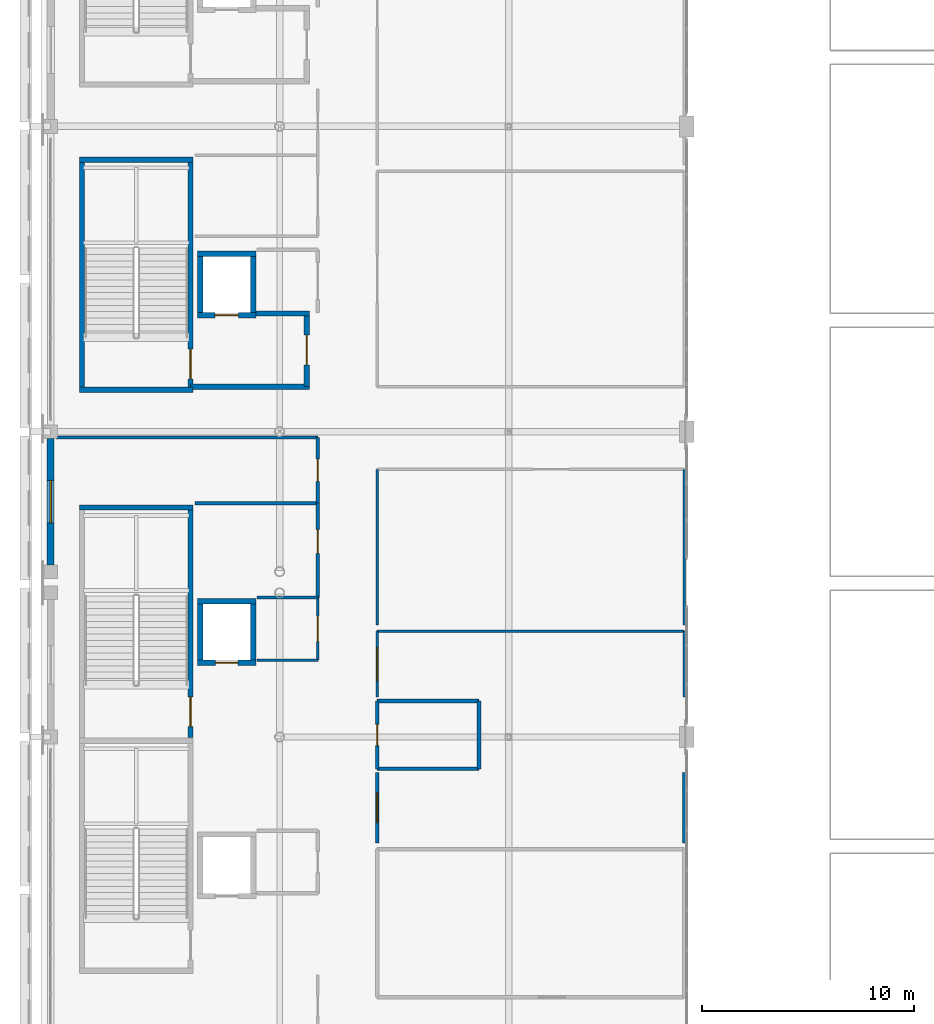
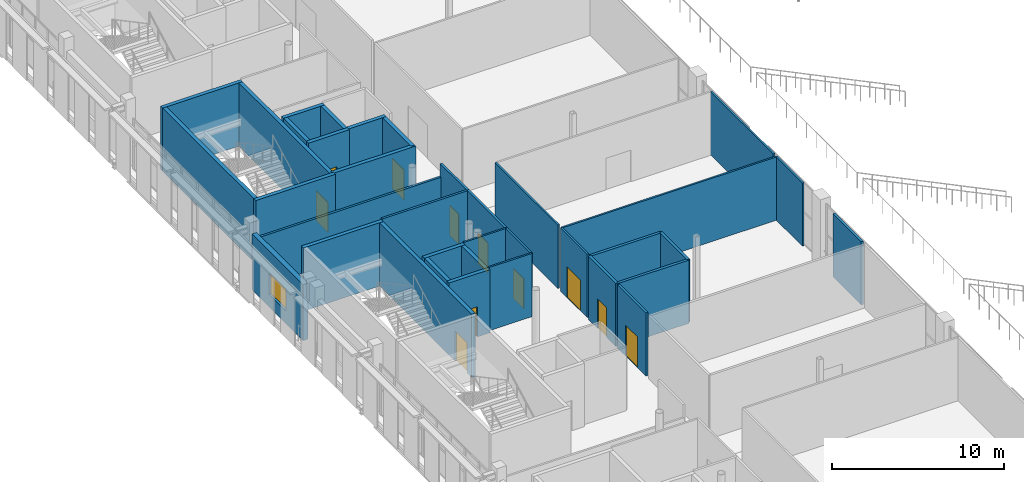
# One storey, part 66 of 104: 36 walls, 11 doors, 1 window, 12 openings.
"""IFC4 building model written with IfcOpenShell, lengths in metres."""

from ifc_helpers import new_model, si_unit, direction, frame, frame_2d, origin, place, context, subcontext, project, spatial, rectangle, extrude, material, layer, layer_set, type_object, element, fill, save


model = new_model("IFC4")

# Units and contexts
model_context = context("Model", 3, precision=1e-05, world=origin(), true_north=direction((0.0, 1.0)))
body_context = subcontext(model_context, "Body", "Model", "MODEL_VIEW")
ifc_project = project(units=[si_unit("LENGTHUNIT", "METRE"), si_unit("AREAUNIT", "SQUARE_METRE"), si_unit("VOLUMEUNIT", "CUBIC_METRE"), si_unit("PLANEANGLEUNIT", "RADIAN"), si_unit("MASSUNIT", "GRAM", prefix="KILO")], contexts=[model_context])

# Site, building, storey
site_placement = place(None, origin())
site = spatial("IfcSite", under=ifc_project, at=site_placement, CompositionType="ELEMENT")
building_placement = place(site_placement, origin())
building = spatial("IfcBuilding", under=site, at=building_placement, Name="Koshinbarg Plaza Stadium", CompositionType="ELEMENT")
storey_placement = place(building_placement, frame((0.0, 0.0, 19.800048828125)))
storey = spatial("IfcBuildingStorey", under=building, at=storey_placement, Name="L04", CompositionType="ELEMENT", Elevation=19.800048828125)

# Wall
ifc_material_1 = material(Name="Concrete C40/50", Category="concrete")
ifc_layer_1 = layer(ifc_material_1, 0.25)
ifc_layer_set_1 = layer_set([ifc_layer_1], Name="Concrete C40/50")
wall_type_1 = type_object("IfcWallType", Name="WL-CORE-250", PredefinedType="SHEAR", material=ifc_layer_set_1)
wall_1_placement = place(storey_placement, frame((31.320068359375, 79.52490234375, 0.0), z_axis=(0.0, 0.0, 1.0), x_axis=(-1.0, 0.0, 0.0)))
element("IfcWall", 1, at=wall_1_placement, inside=storey, type_object=wall_type_1, Name="L04 core stair shear wall C04-far IWL-L04-0097", PredefinedType="SHEAR", context=body_context, shape_type="SweptSolid", body=[
    extrude(rectangle(XDim=5.3701171875, YDim=0.25, at=frame_2d((2.68505859375, 0.0))), origin(), (0.0, 0.0, 1.0), 4.5),
])

# Wall, opening, door
wall_2_placement = place(storey_placement, frame((31.195068359375, 68.675048828125, 0.0), z_axis=(0.0, 0.0, 1.0), x_axis=(0.0, 1.0, 0.0)))
wall_2 = element("IfcWall", 2, at=wall_2_placement, inside=storey, type_object=wall_type_1, Name="L04 core stair shear wall C04-right IWL-L04-0099", PredefinedType="SHEAR", context=body_context, shape_type="SweptSolid", body=[
    extrude(rectangle(XDim=10.849853515625, YDim=0.25, at=frame_2d((5.4248046875, 0.0))), origin(), (0.0, 0.0, 1.0), 4.5),
])
opening_1_placement = place(wall_2_placement, frame((0.52001953125, 0.0, 0.0)))
opening_1 = element("IfcOpeningElement", 3, at=opening_1_placement, cuts=wall_2, Name="Opening D-0086", PredefinedType="OPENING", context=body_context, shape_type="SweptSolid", body=[
    extrude(rectangle(XDim=1.39990234375, YDim=2.14990234375, at=frame_2d((0.699951171875, 1.074951171875))), frame((0.0, 0.135009765625, 0.0), z_axis=(0.0, -1.0, 0.0), x_axis=(1.0, 0.0, 0.0)), (0.0, 0.0, 1.0), 0.27001953125),
])
ifc_material_2 = material(Name="Painted galvanized steel fire door", Category="steel")
door_type_1 = type_object("IfcDoorType", Name="DR-STAIR-1400", OperationType="NOTDEFINED", PredefinedType="DOOR", material=ifc_material_2)
door_1_placement = place(opening_1_placement, origin())
door_1 = element("IfcDoor", 4, at=door_1_placement, inside=storey, type_object=door_type_1, Name="L04 exit stair door C04", OperationType="SINGLE_SWING_LEFT", OverallHeight=2.14990234375, OverallWidth=1.39990234375, PredefinedType="DOOR", context=body_context, shape_type="SweptSolid", body=[
    extrude(rectangle(XDim=1.39990234375, YDim=2.14990234375, at=frame_2d((0.699951171875, 1.074951171875))), frame((0.0, 0.02490234375, 0.0), z_axis=(0.0, -1.0, 0.0), x_axis=(1.0, 0.0, 0.0)), (0.0, 0.0, 1.0), 0.050048828125),
])
fill(opening_1, door_1)

# Walls
for number, where, z_axis, x_axis, name in (
    (5, (25.949951171875, 85.074951171875, 0.0), (0.0, 0.0, 1.0), (1.0, 0.0, 0.0), "L04 core stair shear wall C05-near IWL-L04-0122"),
    (6, (31.320068359375, 95.925048828125, 0.0), (0.0, 0.0, 1.0), (-1.0, 0.0, 0.0), "L04 core stair shear wall C05-far IWL-L04-0123"),
):
    element("IfcWall", number, at=place(storey_placement, frame(where, z_axis=z_axis, x_axis=x_axis)), inside=storey, type_object=wall_type_1, Name=name, PredefinedType="SHEAR", context=body_context, shape_type="SweptSolid", body=[
        extrude(rectangle(XDim=5.3701171875, YDim=0.25, at=frame_2d((2.68505859375, 0.0))), origin(), (0.0, 0.0, 1.0), 4.5),
    ])
wall_3_placement = place(storey_placement, frame((26.074951171875, 85.074951171875, 0.0), z_axis=(0.0, 0.0, 1.0), x_axis=(0.0, 1.0, 0.0)))
element("IfcWall", 7, at=wall_3_placement, inside=storey, type_object=wall_type_1, Name="L04 core stair shear wall C05-left IWL-L04-0124", PredefinedType="SHEAR", context=body_context, shape_type="SweptSolid", body=[
    extrude(rectangle(XDim=10.85009765625, YDim=0.25, at=frame_2d((5.425048828125, 0.0))), origin(), (0.0, 0.0, 1.0), 4.5),
])

# Wall, opening, door
wall_4_placement = place(storey_placement, frame((31.195068359375, 85.074951171875, 0.0), z_axis=(0.0, 0.0, 1.0), x_axis=(0.0, 1.0, 0.0)))
wall_4 = element("IfcWall", 8, at=wall_4_placement, inside=storey, type_object=wall_type_1, Name="L04 core stair shear wall C05-right IWL-L04-0125", PredefinedType="SHEAR", context=body_context, shape_type="SweptSolid", body=[
    extrude(rectangle(XDim=10.85009765625, YDim=0.25, at=frame_2d((5.425048828125, 0.0))), origin(), (0.0, 0.0, 1.0), 4.5),
])
opening_2_placement = place(wall_4_placement, frame((0.52001953125, 0.0, 0.0)))
opening_2 = element("IfcOpeningElement", 9, at=opening_2_placement, cuts=wall_4, Name="Opening D-0093", PredefinedType="OPENING", context=body_context, shape_type="SweptSolid", body=[
    extrude(rectangle(XDim=1.39990234375, YDim=2.14990234375, at=frame_2d((0.699951171875, 1.074951171875))), frame((0.0, 0.135009765625, 0.0), z_axis=(0.0, -1.0, 0.0), x_axis=(1.0, 0.0, 0.0)), (0.0, 0.0, 1.0), 0.27001953125),
])
door_2_placement = place(opening_2_placement, origin())
door_2 = element("IfcDoor", 10, at=door_2_placement, inside=storey, type_object=door_type_1, Name="L04 exit stair door C05", OperationType="SINGLE_SWING_LEFT", OverallHeight=2.14990234375, OverallWidth=1.39990234375, PredefinedType="DOOR", context=body_context, shape_type="SweptSolid", body=[
    extrude(rectangle(XDim=1.39990234375, YDim=2.14990234375, at=frame_2d((0.699951171875, 1.074951171875))), frame((0.0, 0.02490234375, 0.0), z_axis=(0.0, -1.0, 0.0), x_axis=(1.0, 0.0, 0.0)), (0.0, 0.0, 1.0), 0.050048828125),
])
fill(opening_2, door_2)

wall_5_placement = place(storey_placement, frame((31.52490234375, 72.199951171875, 0.0), z_axis=(0.0, 0.0, 1.0), x_axis=(1.0, 0.0, 0.0)))
wall_5 = element("IfcWall", 11, at=wall_5_placement, inside=storey, type_object=wall_type_1, Name="L04 lift shaft shear wall LP02-S IWL-L04-0752", PredefinedType="SHEAR", context=body_context, shape_type="SweptSolid", body=[
    extrude(rectangle(XDim=2.75, YDim=0.25, at=frame_2d((1.375, 0.0))), origin(), (0.0, 0.0, 1.0), 4.5),
])
opening_3_placement = place(wall_5_placement, frame((0.85009765625, 0.0, 0.0)))
opening_3 = element("IfcOpeningElement", 12, at=opening_3_placement, cuts=wall_5, Name="Opening D-0254", PredefinedType="OPENING", context=body_context, shape_type="SweptSolid", body=[
    extrude(rectangle(XDim=1.050048828125, YDim=2.14990234375, at=frame_2d((0.52490234375, 1.074951171875))), frame((0.0, 0.135009765625, 0.0), z_axis=(0.0, -1.0, 0.0), x_axis=(1.0, 0.0, 0.0)), (0.0, 0.0, 1.0), 0.27001953125),
])
ifc_material_3 = material(Name="Brushed stainless steel sliding lift landing door", Category="steel")
door_type_2 = type_object("IfcDoorType", Name="DR-LIFT-1050", OperationType="NOTDEFINED", PredefinedType="DOOR", material=ifc_material_3)
door_3_placement = place(opening_3_placement, origin())
door_3 = element("IfcDoor", 13, at=door_3_placement, inside=storey, type_object=door_type_2, Name="L04 lift landing door LP02", OperationType="SLIDING_TO_LEFT", OverallHeight=2.14990234375, OverallWidth=1.050048828125, PredefinedType="DOOR", context=body_context, shape_type="SweptSolid", body=[
    extrude(rectangle(XDim=1.050048828125, YDim=2.14990234375, at=frame_2d((0.52490234375, 1.074951171875))), frame((0.0, 0.02490234375, 0.0), z_axis=(0.0, -1.0, 0.0), x_axis=(1.0, 0.0, 0.0)), (0.0, 0.0, 1.0), 0.050048828125),
])
fill(opening_3, door_3)

# Walls
wall_6_placement = place(storey_placement, frame((34.27490234375, 75.10009765625, 0.0), z_axis=(0.0, 0.0, 1.0), x_axis=(-1.0, 0.0, 0.0)))
element("IfcWall", 14, at=wall_6_placement, inside=storey, type_object=wall_type_1, Name="L04 lift shaft shear wall LP02-N IWL-L04-0753", PredefinedType="SHEAR", context=body_context, shape_type="SweptSolid", body=[
    extrude(rectangle(XDim=2.75, YDim=0.25, at=frame_2d((1.375, 0.0))), origin(), (0.0, 0.0, 1.0), 4.5),
])
for number, where, z_axis, x_axis, name in (
    (15, (31.64990234375, 75.10009765625, 0.0), (0.0, 0.0, 1.0), (0.0, -1.0, 0.0), "L04 lift shaft shear wall LP02-W IWL-L04-0754"),
    (16, (34.14990234375, 72.199951171875, 0.0), (0.0, 0.0, 1.0), (0.0, 1.0, 0.0), "L04 lift shaft shear wall LP02-E IWL-L04-0755"),
):
    element("IfcWall", number, at=place(storey_placement, frame(where, z_axis=z_axis, x_axis=x_axis)), inside=storey, type_object=wall_type_1, Name=name, PredefinedType="SHEAR", context=body_context, shape_type="SweptSolid", body=[
        extrude(rectangle(XDim=2.900146484375, YDim=0.25, at=frame_2d((1.4501953125, 0.0))), origin(), (0.0, 0.0, 1.0), 4.5),
    ])

# Wall, opening, door
wall_7_placement = place(storey_placement, frame((31.52490234375, 88.60009765625, 0.0), z_axis=(0.0, 0.0, 1.0), x_axis=(1.0, 0.0, 0.0)))
wall_7 = element("IfcWall", 17, at=wall_7_placement, inside=storey, type_object=wall_type_1, Name="L04 lift shaft shear wall FL03-S IWL-L04-0792", PredefinedType="SHEAR", context=body_context, shape_type="SweptSolid", body=[
    extrude(rectangle(XDim=2.75, YDim=0.25, at=frame_2d((1.375, 0.0))), origin(), (0.0, 0.0, 1.0), 4.5),
])
opening_4_placement = place(wall_7_placement, frame((0.824951171875, 0.0, 0.0)))
opening_4 = element("IfcOpeningElement", 18, at=opening_4_placement, cuts=wall_7, Name="Opening D-0265", PredefinedType="OPENING", context=body_context, shape_type="SweptSolid", body=[
    extrude(rectangle(XDim=1.10009765625, YDim=2.14990234375, at=frame_2d((0.550048828125, 1.074951171875))), frame((0.0, 0.135009765625, 0.0), z_axis=(0.0, -1.0, 0.0), x_axis=(1.0, 0.0, 0.0)), (0.0, 0.0, 1.0), 0.27001953125),
])
door_type_3 = type_object("IfcDoorType", Name="DR-LIFT-1100", OperationType="NOTDEFINED", PredefinedType="DOOR", material=ifc_material_3)
door_4_placement = place(opening_4_placement, origin())
door_4 = element("IfcDoor", 19, at=door_4_placement, inside=storey, type_object=door_type_3, Name="L04 lift landing door FL03", OperationType="SLIDING_TO_RIGHT", OverallHeight=2.14990234375, OverallWidth=1.10009765625, PredefinedType="DOOR", context=body_context, shape_type="SweptSolid", body=[
    extrude(rectangle(XDim=1.10009765625, YDim=2.14990234375, at=frame_2d((0.550048828125, 1.074951171875))), frame((0.0, 0.02490234375, 0.0), z_axis=(0.0, -1.0, 0.0), x_axis=(1.0, 0.0, 0.0)), (0.0, 0.0, 1.0), 0.050048828125),
])
fill(opening_4, door_4)

# Walls
wall_8_placement = place(storey_placement, frame((34.27490234375, 91.5, 0.0), z_axis=(0.0, 0.0, 1.0), x_axis=(-1.0, 0.0, 0.0)))
element("IfcWall", 20, at=wall_8_placement, inside=storey, type_object=wall_type_1, Name="L04 lift shaft shear wall FL03-N IWL-L04-0793", PredefinedType="SHEAR", context=body_context, shape_type="SweptSolid", body=[
    extrude(rectangle(XDim=2.75, YDim=0.25, at=frame_2d((1.375, 0.0))), origin(), (0.0, 0.0, 1.0), 4.5),
])
for number, where, z_axis, x_axis, name in (
    (21, (31.64990234375, 91.5, 0.0), (0.0, 0.0, 1.0), (0.0, -1.0, 0.0), "L04 lift shaft shear wall FL03-W IWL-L04-0794"),
    (22, (34.14990234375, 88.60009765625, 0.0), (0.0, 0.0, 1.0), (0.0, 1.0, 0.0), "L04 lift shaft shear wall FL03-E IWL-L04-0795"),
):
    element("IfcWall", number, at=place(storey_placement, frame(where, z_axis=z_axis, x_axis=x_axis)), inside=storey, type_object=wall_type_1, Name=name, PredefinedType="SHEAR", context=body_context, shape_type="SweptSolid", body=[
        extrude(rectangle(XDim=2.89990234375, YDim=0.25, at=frame_2d((1.449951171875, 0.0))), origin(), (0.0, 0.0, 1.0), 4.5),
    ])

# Wall, opening, door
wall_9_placement = place(storey_placement, frame((36.675048828125, 85.22509765625, 0.0), z_axis=(0.0, 0.0, 1.0), x_axis=(0.0, 1.0, 0.0)))
wall_9 = element("IfcWall", 23, at=wall_9_placement, inside=storey, type_object=wall_type_1, Name="L04 firefighting lobby wall C05-E IWL-L04-0796", PredefinedType="SHEAR", context=body_context, shape_type="SweptSolid", body=[
    extrude(rectangle(XDim=3.449951171875, YDim=0.25, at=frame_2d((1.72509765625, 0.0))), origin(), (0.0, 0.0, 1.0), 4.5),
])
opening_5_placement = place(wall_9_placement, frame((1.02490234375, 0.0, 0.0)))
opening_5 = element("IfcOpeningElement", 24, at=opening_5_placement, cuts=wall_9, Name="Opening D-0266", PredefinedType="OPENING", context=body_context, shape_type="SweptSolid", body=[
    extrude(rectangle(XDim=1.39990234375, YDim=2.14990234375, at=frame_2d((0.699951171875, 1.074951171875))), frame((0.0, 0.135009765625, 0.0), z_axis=(0.0, -1.0, 0.0), x_axis=(1.0, 0.0, 0.0)), (0.0, 0.0, 1.0), 0.27001953125),
])
ifc_material_4 = material(Name="Smoke-sealed steel firefighting lobby door", Category="steel")
door_type_4 = type_object("IfcDoorType", Name="DR-FFLOB-1400", OperationType="NOTDEFINED", PredefinedType="DOOR", material=ifc_material_4)
door_5_placement = place(opening_5_placement, origin())
door_5 = element("IfcDoor", 25, at=door_5_placement, inside=storey, type_object=door_type_4, Name="L04 firefighting lobby fire door C05", OperationType="DOUBLE_DOOR_SINGLE_SWING", OverallHeight=2.14990234375, OverallWidth=1.39990234375, PredefinedType="DOOR", context=body_context, shape_type="SweptSolid", body=[
    extrude(rectangle(XDim=1.39990234375, YDim=2.14990234375, at=frame_2d((0.699951171875, 1.074951171875))), frame((0.0, 0.02490234375, 0.0), z_axis=(0.0, -1.0, 0.0), x_axis=(1.0, 0.0, 0.0)), (0.0, 0.0, 1.0), 0.050048828125),
])
fill(opening_5, door_5)

# Walls
wall_10_placement = place(storey_placement, frame((34.27490234375, 88.675048828125, 0.0), z_axis=(0.0, 0.0, 1.0), x_axis=(1.0, 0.0, 0.0)))
element("IfcWall", 26, at=wall_10_placement, inside=storey, type_object=wall_type_1, Name="L04 firefighting lobby wall C05-NE IWL-L04-0797", PredefinedType="SHEAR", context=body_context, shape_type="SweptSolid", body=[
    extrude(rectangle(XDim=2.525146484375, YDim=0.25, at=frame_2d((1.2626953125, 0.0))), origin(), (0.0, 0.0, 1.0), 4.5),
])
wall_11_placement = place(storey_placement, frame((31.199951171875, 85.22509765625, 0.0), z_axis=(0.0, 0.0, 1.0), x_axis=(1.0, 0.0, 0.0)))
element("IfcWall", 27, at=wall_11_placement, inside=storey, type_object=wall_type_1, Name="L04 firefighting lobby wall C05-S IWL-L04-0798", PredefinedType="SHEAR", context=body_context, shape_type="SweptSolid", body=[
    extrude(rectangle(XDim=5.60009765625, YDim=0.25, at=frame_2d((2.800048828125, 0.0))), origin(), (0.0, 0.0, 1.0), 4.5),
])

# Wall, opening, window
ifc_material_5 = material(Name="Ultramarine-blue pigmented mineral plaster facade wall", Category="masonry")
ifc_layer_2 = layer(ifc_material_5, 0.320068359375)
ifc_layer_set_2 = layer_set([ifc_layer_2], Name="Ultramarine-blue pigmented mineral plaster facade wall")
wall_type_2 = type_object("IfcWallType", Name="WL-EXT-320", PredefinedType="SOLIDWALL", material=ifc_layer_set_2)
wall_12_placement = place(storey_placement, frame((24.60009765625, 76.820068359375, 0.0), z_axis=(0.0, 0.0, 1.0), x_axis=(0.0, 1.0, 0.0)))
wall_12 = element("IfcWall", 28, at=wall_12_placement, inside=storey, type_object=wall_type_2, Name="L04 exterior envelope wall EWL-L04-0206", PredefinedType="SOLIDWALL", context=body_context, shape_type="SweptSolid", body=[
    extrude(rectangle(XDim=5.9599609375, YDim=0.320068359375, at=frame_2d((2.97998046875, 0.0))), origin(), (0.0, 0.0, 1.0), 3.97998046875),
])
opening_6_placement = place(wall_12_placement, frame((1.97998046875, 0.0, 0.89990234375)))
opening_6 = element("IfcOpeningElement", 29, at=opening_6_placement, cuts=wall_12, Name="Opening WN05", PredefinedType="OPENING", context=body_context, shape_type="SweptSolid", body=[
    extrude(rectangle(XDim=2.0, YDim=1.5, at=frame_2d((1.0, 0.75))), frame((0.0, 0.169921875, 0.0), z_axis=(0.0, -1.0, 0.0), x_axis=(1.0, 0.0, 0.0)), (0.0, 0.0, 1.0), 0.340087890625),
])
ifc_material_6 = material(Name="Solar-control double glazing in thermally broken aluminium frame", Category="aluminium")
window_type = type_object("IfcWindowType", Name="WN-FAC-05", PartitioningType="DOUBLE_PANEL_VERTICAL", PredefinedType="WINDOW", material=ifc_material_6)
window_placement = place(opening_6_placement, origin())
window = element("IfcWindow", 30, at=window_placement, inside=storey, type_object=window_type, Name="L04 facade window 0139", OverallHeight=1.5, OverallWidth=2.0, PartitioningType="SINGLE_PANEL", PredefinedType="WINDOW", context=body_context, shape_type="SweptSolid", body=[
    extrude(rectangle(XDim=2.0, YDim=1.5, at=frame_2d((1.0, 0.75))), frame((0.0, 0.030029296875, 0.0), z_axis=(0.0, -1.0, 0.0), x_axis=(1.0, 0.0, 0.0)), (0.0, 0.0, 1.0), 0.06005859375),
])
fill(opening_6, window)

# Wall
ifc_material_7 = material(Name="Gypsum board metal-stud acoustic partition")
ifc_layer_3 = layer(ifc_material_7, 0.1201171875)
ifc_layer_set_3 = layer_set([ifc_layer_3], Name="Gypsum board metal-stud acoustic partition")
wall_type_3 = type_object("IfcWallType", Name="WL-PART-120", PredefinedType="PARTITIONING", material=ifc_layer_set_3)
wall_13_placement = place(storey_placement, frame((34.330078125, 72.330078125, 0.0), z_axis=(0.0, 0.0, 1.0), x_axis=(1.0, 0.0, 0.0)))
element("IfcWall", 31, at=wall_13_placement, inside=storey, type_object=wall_type_3, Name="L04 interior partition L04-47-south IWL-L04-2117", PredefinedType="PARTITIONING", context=body_context, shape_type="SweptSolid", body=[
    extrude(rectangle(XDim=2.869873046875, YDim=0.1201171875, at=frame_2d((1.43505859375, 0.0))), origin(), (0.0, 0.0, 1.0), 4.5),
])

# Wall, opening, door
wall_14_placement = place(storey_placement, frame((37.199951171875, 72.330078125, 0.0), z_axis=(0.0, 0.0, 1.0), x_axis=(0.0, 1.0, 0.0)))
wall_14 = element("IfcWall", 32, at=wall_14_placement, inside=storey, type_object=wall_type_3, Name="L04 interior partition L04-47-east IWL-L04-2118", PredefinedType="PARTITIONING", context=body_context, shape_type="SweptSolid", body=[
    extrude(rectangle(XDim=2.949951171875, YDim=0.1201171875, at=frame_2d((1.47509765625, 0.0))), origin(), (0.0, 0.0, 1.0), 4.5),
])
opening_7_placement = place(wall_14_placement, frame((0.875, 0.0, 0.0)))
opening_7 = element("IfcOpeningElement", 33, at=opening_7_placement, cuts=wall_14, Name="Opening D-0730", PredefinedType="OPENING", context=body_context, shape_type="SweptSolid", body=[
    extrude(rectangle(XDim=1.199951171875, YDim=2.14990234375, at=frame_2d((0.60009765625, 1.074951171875))), frame((0.0, 0.070068359375, 0.0), z_axis=(0.0, -1.0, 0.0), x_axis=(1.0, 0.0, 0.0)), (0.0, 0.0, 1.0), 0.14013671875),
])
ifc_material_8 = material(Name="Solid-core hardwood leaf in painted steel frame", Category="steel")
door_type_5 = type_object("IfcDoorType", Name="DR-INT-1200x2150", OperationType="NOTDEFINED", PredefinedType="DOOR", material=ifc_material_8)
door_6_placement = place(opening_7_placement, origin())
door_6 = element("IfcDoor", 34, at=door_6_placement, inside=storey, type_object=door_type_5, Name="L04 International Press Lounge door D-0730", OperationType="SINGLE_SWING_RIGHT", OverallHeight=2.14990234375, OverallWidth=1.199951171875, PredefinedType="DOOR", context=body_context, shape_type="SweptSolid", body=[
    extrude(rectangle(XDim=1.199951171875, YDim=2.14990234375, at=frame_2d((0.60009765625, 1.074951171875))), frame((0.0, 0.02490234375, 0.0), z_axis=(0.0, -1.0, 0.0), x_axis=(1.0, 0.0, 0.0)), (0.0, 0.0, 1.0), 0.050048828125),
])
fill(opening_7, door_6)

# Walls
wall_15_placement = place(storey_placement, frame((37.199951171875, 75.280029296875, 0.0), z_axis=(0.0, 0.0, 1.0), x_axis=(-1.0, 0.0, 0.0)))
element("IfcWall", 35, at=wall_15_placement, inside=storey, type_object=wall_type_3, Name="L04 interior partition L04-47-north IWL-L04-2119", PredefinedType="PARTITIONING", context=body_context, shape_type="SweptSolid", body=[
    extrude(rectangle(XDim=2.869873046875, YDim=0.1201171875, at=frame_2d((1.43505859375, 0.0))), origin(), (0.0, 0.0, 1.0), 4.5),
])
wall_16_placement = place(storey_placement, frame((54.47998046875, 70.580078125, 0.0), z_axis=(0.0, 0.0, 1.0), x_axis=(0.0, 1.0, 0.0)))
element("IfcWall", 36, at=wall_16_placement, inside=storey, type_object=wall_type_3, Name="L04 interior partition L04-50-east IWL-L04-2126", PredefinedType="PARTITIONING", context=body_context, shape_type="SweptSolid", body=[
    extrude(rectangle(XDim=3.11083984375, YDim=0.1201171875, at=frame_2d((1.555419921875, 0.0))), origin(), (0.0, 0.0, 1.0), 4.5),
])
wall_17_placement = place(storey_placement, frame((54.47998046875, 73.69091796875, 0.0), z_axis=(0.0, 0.0, 1.0), x_axis=(-1.0, 0.0, 0.0)))
element("IfcWall", 37, at=wall_17_placement, inside=storey, type_object=wall_type_3, Name="L04 interior partition L04-50-north IWL-L04-2127", PredefinedType="PARTITIONING", context=body_context, shape_type="SweptSolid", body=[
    extrude(rectangle(XDim=14.47998046875, YDim=0.1201171875, at=frame_2d((7.239990234375, 0.0))), origin(), (0.0, 0.0, 1.0), 4.5),
])

# Wall, opening, door
wall_18_placement = place(storey_placement, frame((40.0, 73.69091796875, 0.0), z_axis=(0.0, 0.0, 1.0), x_axis=(0.0, -1.0, 0.0)))
wall_18 = element("IfcWall", 38, at=wall_18_placement, inside=storey, type_object=wall_type_3, Name="L04 interior partition L04-50-west IWL-L04-2128", PredefinedType="PARTITIONING", context=body_context, shape_type="SweptSolid", body=[
    extrude(rectangle(XDim=3.11083984375, YDim=0.1201171875, at=frame_2d((1.555419921875, 0.0))), origin(), (0.0, 0.0, 1.0), 4.5),
])
opening_8_placement = place(wall_18_placement, frame((0.780517578125, 0.0, 0.0)))
opening_8 = element("IfcOpeningElement", 39, at=opening_8_placement, cuts=wall_18, Name="Opening D-0733", PredefinedType="OPENING", context=body_context, shape_type="SweptSolid", body=[
    extrude(rectangle(XDim=1.550048828125, YDim=2.199951171875, at=frame_2d((0.77490234375, 1.10009765625))), frame((0.0, 0.070068359375, 0.0), z_axis=(0.0, -1.0, 0.0), x_axis=(1.0, 0.0, 0.0)), (0.0, 0.0, 1.0), 0.14013671875),
])
ifc_material_9 = material(Name="Toughened laminated glass in aluminium frame", Category="aluminium")
door_type_6 = type_object("IfcDoorType", Name="DR-INT-1550x2200", OperationType="NOTDEFINED", PredefinedType="DOOR", material=ifc_material_9)
door_7_placement = place(opening_8_placement, origin())
door_7 = element("IfcDoor", 40, at=door_7_placement, inside=storey, type_object=door_type_6, Name="L04 International Press Lounge door D-0733", OperationType="DOUBLE_DOOR_SINGLE_SWING", OverallHeight=2.199951171875, OverallWidth=1.550048828125, PredefinedType="DOOR", context=body_context, shape_type="SweptSolid", body=[
    extrude(rectangle(XDim=1.550048828125, YDim=2.199951171875, at=frame_2d((0.77490234375, 1.10009765625))), frame((0.0, 0.02490234375, 0.0), z_axis=(0.0, -1.0, 0.0), x_axis=(1.0, 0.0, 0.0)), (0.0, 0.0, 1.0), 0.050048828125),
])
fill(opening_8, door_7)

# Walls
for number, where, z_axis, x_axis, name in (
    (41, (54.47998046875, 73.99072265625, 0.0), (0.0, 0.0, 1.0), (0.0, 1.0, 0.0), "L04 interior partition L04-51-east IWL-L04-2129"),
    (42, (40.0, 81.320068359375, 0.0), (0.0, 0.0, 1.0), (0.0, -1.0, 0.0), "L04 interior partition L04-51-west IWL-L04-2131"),
):
    element("IfcWall", number, at=place(storey_placement, frame(where, z_axis=z_axis, x_axis=x_axis)), inside=storey, type_object=wall_type_3, Name=name, PredefinedType="PARTITIONING", context=body_context, shape_type="SweptSolid", body=[
        extrude(rectangle(XDim=7.329345703125, YDim=0.1201171875, at=frame_2d((3.66455078125, 0.0))), origin(), (0.0, 0.0, 1.0), 4.5),
    ])

# Wall, opening, door
ifc_material_10 = material(Name="Double-layer gypsum acoustic suite partition")
ifc_layer_4 = layer(ifc_material_10, 0.14990234375)
ifc_layer_set_4 = layer_set([ifc_layer_4], Name="Double-layer gypsum acoustic suite partition")
wall_type_4 = type_object("IfcWallType", Name="WL-PART-150", PredefinedType="PARTITIONING", material=ifc_layer_set_4)
wall_19_placement = place(storey_placement, frame((37.199951171875, 79.72998046875, 0.0), z_axis=(0.0, 0.0, 1.0), x_axis=(0.0, 1.0, 0.0)))
wall_19 = element("IfcWall", 43, at=wall_19_placement, inside=storey, type_object=wall_type_4, Name="L04 interior partition L04-45-east IWL-L04-2113", PredefinedType="PARTITIONING", context=body_context, shape_type="SweptSolid", body=[
    extrude(rectangle(XDim=3.10009765625, YDim=0.14990234375, at=frame_2d((1.550048828125, 0.0))), origin(), (0.0, 0.0, 1.0), 4.5),
])
opening_9_placement = place(wall_19_placement, frame((1.02490234375, 0.0, 0.0)))
opening_9 = element("IfcOpeningElement", 44, at=opening_9_placement, cuts=wall_19, Name="Opening D-0728", PredefinedType="OPENING", context=body_context, shape_type="SweptSolid", body=[
    extrude(rectangle(XDim=1.050048828125, YDim=2.14990234375, at=frame_2d((0.52490234375, 1.074951171875))), frame((0.0, 0.0849609375, 0.0), z_axis=(0.0, -1.0, 0.0), x_axis=(1.0, 0.0, 0.0)), (0.0, 0.0, 1.0), 0.169921875),
])
ifc_material_11 = material(Name="Solid-core oak suite entrance door")
door_type_7 = type_object("IfcDoorType", Name="DR-INT-1050x2150", OperationType="NOTDEFINED", PredefinedType="DOOR", material=ifc_material_11)
door_8_placement = place(opening_9_placement, origin())
door_8 = element("IfcDoor", 45, at=door_8_placement, inside=storey, type_object=door_type_7, Name="L04 Commentary Production Studio door D-0728", OperationType="SINGLE_SWING_RIGHT", OverallHeight=2.14990234375, OverallWidth=1.050048828125, PredefinedType="DOOR", context=body_context, shape_type="SweptSolid", body=[
    extrude(rectangle(XDim=1.050048828125, YDim=2.14990234375, at=frame_2d((0.52490234375, 1.074951171875))), frame((0.0, 0.02490234375, 0.0), z_axis=(0.0, -1.0, 0.0), x_axis=(1.0, 0.0, 0.0)), (0.0, 0.0, 1.0), 0.050048828125),
])
fill(opening_9, door_8)

# Wall
wall_20_placement = place(storey_placement, frame((37.199951171875, 82.830078125, 0.0), z_axis=(0.0, 0.0, 1.0), x_axis=(-1.0, 0.0, 0.0)))
element("IfcWall", 46, at=wall_20_placement, inside=storey, type_object=wall_type_4, Name="L04 interior partition L04-45-north IWL-L04-2114", PredefinedType="PARTITIONING", context=body_context, shape_type="SweptSolid", body=[
    extrude(rectangle(XDim=12.35498046875, YDim=0.14990234375, at=frame_2d((6.177490234375, 0.0))), origin(), (0.0, 0.0, 1.0), 3.579833984375),
])

# Wall, opening, door
wall_21_placement = place(storey_placement, frame((37.199951171875, 75.280029296875, 0.0), z_axis=(0.0, 0.0, 1.0), x_axis=(0.0, 1.0, 0.0)))
wall_21 = element("IfcWall", 47, at=wall_21_placement, inside=storey, type_object=wall_type_4, Name="L04 interior partition L04-46-east IWL-L04-2115", PredefinedType="PARTITIONING", context=body_context, shape_type="SweptSolid", body=[
    extrude(rectangle(XDim=4.449951171875, YDim=0.14990234375, at=frame_2d((2.22509765625, 0.0))), origin(), (0.0, 0.0, 1.0), 4.5),
])
opening_10_placement = place(wall_21_placement, frame((2.085693359375, 0.0, 0.0)))
opening_10 = element("IfcOpeningElement", 48, at=opening_10_placement, cuts=wall_21, Name="Opening D-0729", PredefinedType="OPENING", context=body_context, shape_type="SweptSolid", body=[
    extrude(rectangle(XDim=1.1201171875, YDim=2.14990234375, at=frame_2d((0.56005859375, 1.074951171875))), frame((0.0, 0.0849609375, 0.0), z_axis=(0.0, -1.0, 0.0), x_axis=(1.0, 0.0, 0.0)), (0.0, 0.0, 1.0), 0.169921875),
])
ifc_material_12 = material(Name="Acoustic timber broadcast studio door", Category="wood")
door_type_8 = type_object("IfcDoorType", Name="DR-INT-1120x2150", OperationType="NOTDEFINED", PredefinedType="DOOR", material=ifc_material_12)
door_9_placement = place(opening_10_placement, origin())
door_9 = element("IfcDoor", 49, at=door_9_placement, inside=storey, type_object=door_type_8, Name="L04 Television Broadcast Studio door D-0729", OperationType="SINGLE_SWING_LEFT", OverallHeight=2.14990234375, OverallWidth=1.1201171875, PredefinedType="DOOR", context=body_context, shape_type="SweptSolid", body=[
    extrude(rectangle(XDim=1.1201171875, YDim=2.14990234375, at=frame_2d((0.56005859375, 1.074951171875))), frame((0.0, 0.02490234375, 0.0), z_axis=(0.0, -1.0, 0.0), x_axis=(1.0, 0.0, 0.0)), (0.0, 0.0, 1.0), 0.050048828125),
])
fill(opening_10, door_9)

# Walls
wall_22_placement = place(storey_placement, frame((37.199951171875, 79.72998046875, 0.0), z_axis=(0.0, 0.0, 1.0), x_axis=(-1.0, 0.0, 0.0)))
element("IfcWall", 50, at=wall_22_placement, inside=storey, type_object=wall_type_4, Name="L04 interior partition L04-46-north IWL-L04-2116", PredefinedType="PARTITIONING", context=body_context, shape_type="SweptSolid", body=[
    extrude(rectangle(XDim=5.800048828125, YDim=0.14990234375, at=frame_2d((2.89990234375, 0.0))), origin(), (0.0, 0.0, 1.0), 4.5),
])
wall_23_placement = place(storey_placement, frame((54.47998046875, 63.709228515625, 0.0), z_axis=(0.0, 0.0, 1.0), x_axis=(0.0, 1.0, 0.0)))
element("IfcWall", 51, at=wall_23_placement, inside=storey, type_object=wall_type_4, Name="L04 interior partition L04-49-east IWL-L04-2124", PredefinedType="PARTITIONING", context=body_context, shape_type="SweptSolid", body=[
    extrude(rectangle(XDim=3.310791015625, YDim=0.14990234375, at=frame_2d((1.6552734375, 0.0))), origin(), (0.0, 0.0, 1.0), 4.5),
])

# Wall, opening, door
wall_24_placement = place(storey_placement, frame((40.0, 67.02001953125, 0.0), z_axis=(0.0, 0.0, 1.0), x_axis=(0.0, -1.0, 0.0)))
wall_24 = element("IfcWall", 52, at=wall_24_placement, inside=storey, type_object=wall_type_4, Name="L04 interior partition L04-49-west IWL-L04-2125", PredefinedType="PARTITIONING", context=body_context, shape_type="SweptSolid", body=[
    extrude(rectangle(XDim=3.310791015625, YDim=0.14990234375, at=frame_2d((1.6552734375, 0.0))), origin(), (0.0, 0.0, 1.0), 4.5),
])
opening_11_placement = place(wall_24_placement, frame((0.955322265625, 0.0, 0.0)))
opening_11 = element("IfcOpeningElement", 53, at=opening_11_placement, cuts=wall_24, Name="Opening D-0732", PredefinedType="OPENING", context=body_context, shape_type="SweptSolid", body=[
    extrude(rectangle(XDim=1.39990234375, YDim=2.199951171875, at=frame_2d((0.699951171875, 1.10009765625))), frame((0.0, 0.0849609375, 0.0), z_axis=(0.0, -1.0, 0.0), x_axis=(1.0, 0.0, 0.0)), (0.0, 0.0, 1.0), 0.169921875),
])
ifc_material_13 = material(Name="Stainless-clad solid-core timber double fire door", Category="wood")
door_type_9 = type_object("IfcDoorType", Name="DR-INT-1400x2200", OperationType="NOTDEFINED", PredefinedType="DOOR", material=ifc_material_13)
door_10_placement = place(opening_11_placement, origin())
door_10 = element("IfcDoor", 54, at=door_10_placement, inside=storey, type_object=door_type_9, Name="L04 Television Broadcast Studio door D-0732", OperationType="DOUBLE_DOOR_SINGLE_SWING", OverallHeight=2.199951171875, OverallWidth=1.39990234375, PredefinedType="DOOR", context=body_context, shape_type="SweptSolid", body=[
    extrude(rectangle(XDim=1.39990234375, YDim=2.199951171875, at=frame_2d((0.699951171875, 1.10009765625))), frame((0.0, 0.02490234375, 0.0), z_axis=(0.0, -1.0, 0.0), x_axis=(1.0, 0.0, 0.0)), (0.0, 0.0, 1.0), 0.050048828125),
])
fill(opening_11, door_10)

# Walls
ifc_material_14 = material(Name="Moisture-resistant tiled sanitary partition")
ifc_layer_5 = layer(ifc_material_14, 0.179931640625)
ifc_layer_set_5 = layer_set([ifc_layer_5], Name="Moisture-resistant tiled sanitary partition")
wall_type_5 = type_object("IfcWallType", Name="WL-PART-180", PredefinedType="PARTITIONING", material=ifc_layer_set_5)
wall_25_placement = place(storey_placement, frame((40.0, 67.199951171875, 0.0), z_axis=(0.0, 0.0, 1.0), x_axis=(1.0, 0.0, 0.0)))
element("IfcWall", 55, at=wall_25_placement, inside=storey, type_object=wall_type_5, Name="L04 interior partition L04-33-south IWL-L04-2084", PredefinedType="PARTITIONING", context=body_context, shape_type="SweptSolid", body=[
    extrude(rectangle(XDim=4.800048828125, YDim=0.179931640625, at=frame_2d((2.39990234375, 0.0))), origin(), (0.0, 0.0, 1.0), 4.5),
])
wall_26_placement = place(storey_placement, frame((44.800048828125, 67.199951171875, 0.0), z_axis=(0.0, 0.0, 1.0), x_axis=(0.0, 1.0, 0.0)))
element("IfcWall", 56, at=wall_26_placement, inside=storey, type_object=wall_type_5, Name="L04 interior partition L04-33-east IWL-L04-2085", PredefinedType="PARTITIONING", context=body_context, shape_type="SweptSolid", body=[
    extrude(rectangle(XDim=3.199951171875, YDim=0.179931640625, at=frame_2d((1.60009765625, 0.0))), origin(), (0.0, 0.0, 1.0), 4.5),
])
wall_27_placement = place(storey_placement, frame((44.800048828125, 70.39990234375, 0.0), z_axis=(0.0, 0.0, 1.0), x_axis=(-1.0, 0.0, 0.0)))
element("IfcWall", 57, at=wall_27_placement, inside=storey, type_object=wall_type_5, Name="L04 interior partition L04-33-north IWL-L04-2086", PredefinedType="PARTITIONING", context=body_context, shape_type="SweptSolid", body=[
    extrude(rectangle(XDim=4.800048828125, YDim=0.179931640625, at=frame_2d((2.39990234375, 0.0))), origin(), (0.0, 0.0, 1.0), 4.5),
])

# Wall, opening, door
wall_28_placement = place(storey_placement, frame((40.0, 70.39990234375, 0.0), z_axis=(0.0, 0.0, 1.0), x_axis=(0.0, -1.0, 0.0)))
wall_28 = element("IfcWall", 58, at=wall_28_placement, inside=storey, type_object=wall_type_5, Name="L04 interior partition L04-33-west IWL-L04-2087", PredefinedType="PARTITIONING", context=body_context, shape_type="SweptSolid", body=[
    extrude(rectangle(XDim=3.199951171875, YDim=0.179931640625, at=frame_2d((1.60009765625, 0.0))), origin(), (0.0, 0.0, 1.0), 4.5),
])
opening_12_placement = place(wall_28_placement, frame((1.10009765625, 0.0, 0.0)))
opening_12 = element("IfcOpeningElement", 59, at=opening_12_placement, cuts=wall_28, Name="Opening D-0717", PredefinedType="OPENING", context=body_context, shape_type="SweptSolid", body=[
    extrude(rectangle(XDim=1.0, YDim=2.10009765625, at=frame_2d((0.5, 1.050048828125))), frame((0.0, 0.099853515625, 0.0), z_axis=(0.0, -1.0, 0.0), x_axis=(1.0, 0.0, 0.0)), (0.0, 0.0, 1.0), 0.199951171875),
])
ifc_material_15 = material(Name="Solid-core laminate accessible WC door")
door_type_10 = type_object("IfcDoorType", Name="DR-INT-1000x2100", OperationType="NOTDEFINED", PredefinedType="DOOR", material=ifc_material_15)
door_11_placement = place(opening_12_placement, origin())
door_11 = element("IfcDoor", 60, at=door_11_placement, inside=storey, type_object=door_type_10, Name="L04 Accessible WC 1 door D-0717", OperationType="SINGLE_SWING_LEFT", OverallHeight=2.10009765625, OverallWidth=1.0, PredefinedType="DOOR", context=body_context, shape_type="SweptSolid", body=[
    extrude(rectangle(XDim=1.0, YDim=2.10009765625, at=frame_2d((0.5, 1.050048828125))), frame((0.0, 0.02490234375, 0.0), z_axis=(0.0, -1.0, 0.0), x_axis=(1.0, 0.0, 0.0)), (0.0, 0.0, 1.0), 0.050048828125),
])
fill(opening_12, door_11)

save(model, "model.ifc")
